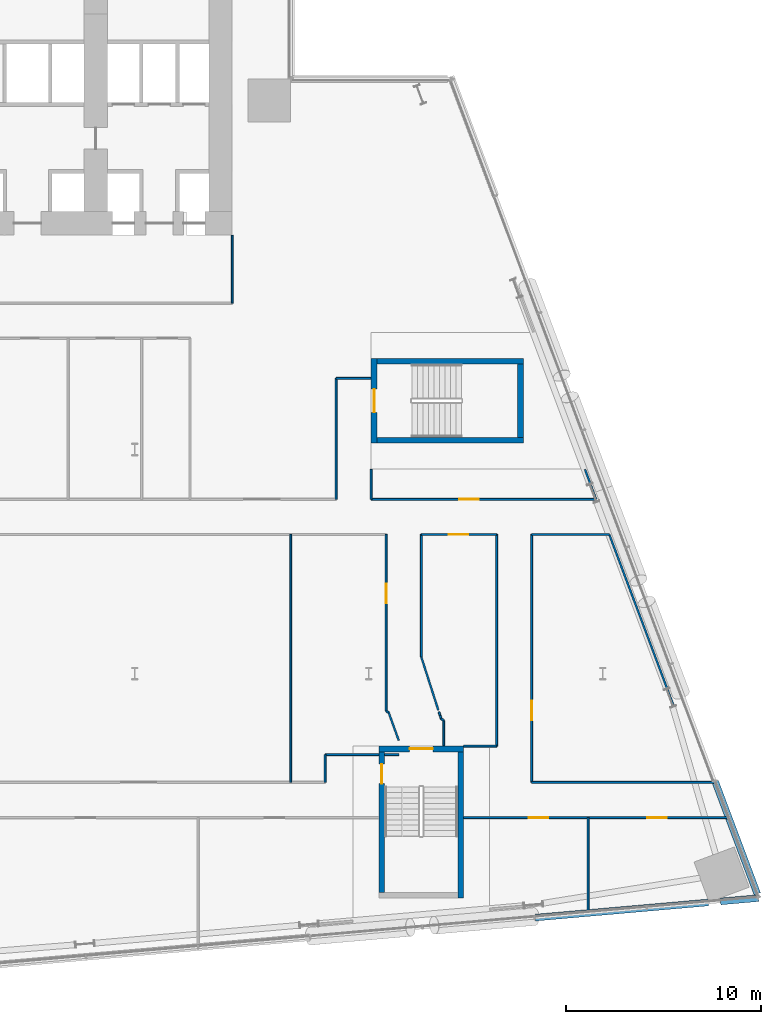
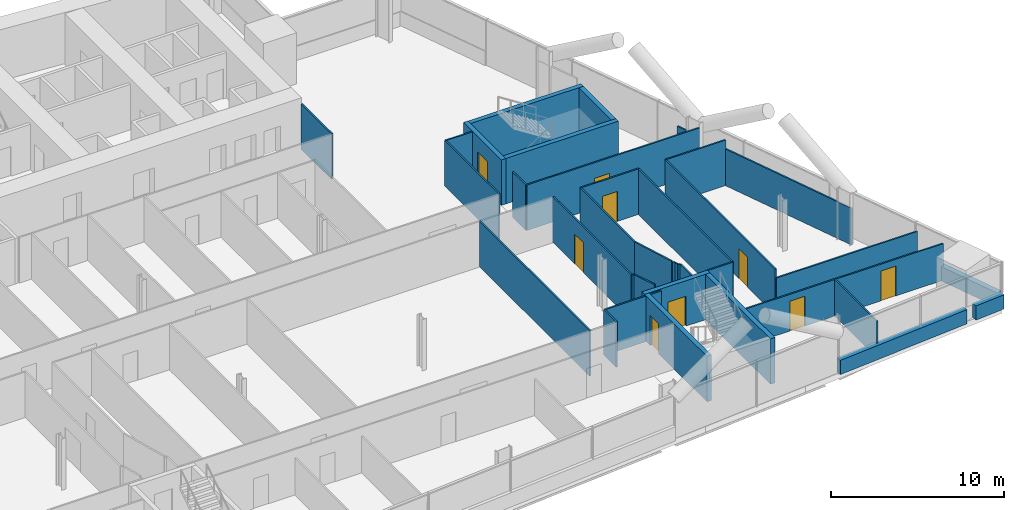
# One storey, part 20 of 28: 38 walls, 9 doors, 9 openings.
"""IFC4 building model written with IfcOpenShell, lengths in metres."""

from ifc_helpers import new_model, si_unit, direction, frame, frame_2d, origin, place, context, subcontext, project, spatial, rectangle, extrude, material, layer, layer_set, type_object, element, fill, save


model = new_model("IFC4")

# Units and contexts
model_context = context("Model", 3, precision=1e-05, world=origin(), true_north=direction((0.0, 1.0)))
body_context = subcontext(model_context, "Body", "Model", "MODEL_VIEW")
ifc_project = project(units=[si_unit("LENGTHUNIT", "METRE"), si_unit("AREAUNIT", "SQUARE_METRE"), si_unit("VOLUMEUNIT", "CUBIC_METRE"), si_unit("PLANEANGLEUNIT", "RADIAN"), si_unit("MASSUNIT", "GRAM", prefix="KILO")], contexts=[model_context])

# Site, building, storey
site_placement = place(None, origin())
site = spatial("IfcSite", under=ifc_project, at=site_placement, CompositionType="ELEMENT")
building_placement = place(site_placement, origin())
building = spatial("IfcBuilding", under=site, at=building_placement, Name="Wharfspan Tower", CompositionType="ELEMENT")
storey_placement = place(building_placement, frame((0.0, 0.0, 52.300049)))
storey = spatial("IfcBuildingStorey", under=building, at=storey_placement, Name="L09", CompositionType="ELEMENT", Elevation=52.300049)

# Walls
ifc_material_1 = material(Name="Gypsum board on steel studs", Category="steel")
ifc_layer_1 = layer(ifc_material_1, 0.100098)
ifc_layer_set_1 = layer_set([ifc_layer_1], Name="Gypsum board on steel studs")
wall_type_1 = type_object("IfcWallType", Name="Compartment wall 100 EI 60", PredefinedType="PARTITIONING", material=ifc_layer_set_1)
wall_1_placement = place(storey_placement, frame((65.0, 30.5, 0.0), z_axis=(0.0, 0.0, 1.0), x_axis=(0.0, 1.0, 0.0)))
element("IfcWall", 1, at=wall_1_placement, inside=storey, type_object=wall_type_1, Name="Partition L09.w058", PredefinedType="PARTITIONING", context=body_context, shape_type="SweptSolid", body=[
    extrude(rectangle(XDim=3.47998, YDim=0.100098, at=frame_2d((1.73999, 0.0))), origin(), (0.0, 0.0, 1.0), 3.199951),
])
wall_2_placement = place(storey_placement, frame((68.0, 5.925049, 0.0), z_axis=(0.0, 0.0, 1.0), x_axis=(0.0, 1.0, 0.0)))
element("IfcWall", 2, at=wall_2_placement, inside=storey, type_object=wall_type_1, Name="Partition L09.w059", PredefinedType="PARTITIONING", context=body_context, shape_type="SweptSolid", body=[
    extrude(rectangle(XDim=12.714844, YDim=0.100098, at=frame_2d((6.357422, 0.0))), origin(), (0.0, 0.0, 1.0), 3.199951),
])
wall_3_placement = place(storey_placement, frame((69.764893, 5.925049, 0.0), z_axis=(0.0, 0.0, 1.0), x_axis=(0.0, 1.0, 0.0)))
element("IfcWall", 3, at=wall_3_placement, inside=storey, type_object=wall_type_1, Name="Partition L09.w061", PredefinedType="PARTITIONING", context=body_context, shape_type="SweptSolid", body=[
    extrude(rectangle(XDim=1.425049, YDim=0.100098, at=frame_2d((0.712402, 0.0))), origin(), (0.0, 0.0, 1.0), 3.199951),
])
wall_4_placement = place(storey_placement, frame((69.764893, 7.350098, 0.0), z_axis=(0.0, 0.0, 1.0), x_axis=(1.0, 0.0, 0.0)))
element("IfcWall", 4, at=wall_4_placement, inside=storey, type_object=wall_type_1, Name="Partition L09.w062", PredefinedType="PARTITIONING", context=body_context, shape_type="SweptSolid", body=[
    extrude(rectangle(XDim=2.752686, YDim=0.100098, at=frame_2d((1.376465, 0.0))), origin(), (0.0, 0.0, 1.0), 3.199951),
])
wall_5_placement = place(storey_placement, frame((70.324951, 20.445068, 0.0), z_axis=(0.0, 0.0, 1.0), x_axis=(0.0, 1.0, 0.0)))
element("IfcWall", 5, at=wall_5_placement, inside=storey, type_object=wall_type_1, Name="Partition L09.w063", PredefinedType="PARTITIONING", context=body_context, shape_type="SweptSolid", body=[
    extrude(rectangle(XDim=6.204834, YDim=0.100098, at=frame_2d((3.102539, 0.0))), origin(), (0.0, 0.0, 1.0), 3.199951),
])
wall_6_placement = place(storey_placement, frame((70.324951, 26.649902, 0.0), z_axis=(0.0, 0.0, 1.0), x_axis=(1.0, 0.0, 0.0)))
element("IfcWall", 6, at=wall_6_placement, inside=storey, type_object=wall_type_1, Name="Partition L09.w064", PredefinedType="PARTITIONING", context=body_context, shape_type="SweptSolid", body=[
    extrude(rectangle(XDim=1.780029, YDim=0.100098, at=frame_2d((0.890137, 0.0))), origin(), (0.0, 0.0, 1.0), 3.199951),
])
wall_7_placement = place(storey_placement, frame((72.125, 20.445068, 0.0), z_axis=(0.0, 0.0, 1.0), x_axis=(0.0, 1.0, 0.0)))
element("IfcWall", 7, at=wall_7_placement, inside=storey, type_object=wall_type_1, Name="Partition L09.w066", PredefinedType="PARTITIONING", context=body_context, shape_type="SweptSolid", body=[
    extrude(rectangle(XDim=1.534912, YDim=0.100098, at=frame_2d((0.767578, 0.0))), origin(), (0.0, 0.0, 1.0), 3.199951),
])

# Wall, opening, door
wall_8_placement = place(storey_placement, frame((72.125, 20.445068, 0.0), z_axis=(0.0, 0.0, 1.0), x_axis=(1.0, 0.0, 0.0)))
wall_8 = element("IfcWall", 8, at=wall_8_placement, inside=storey, type_object=wall_type_1, Name="Partition L09.w067", PredefinedType="PARTITIONING", context=body_context, shape_type="SweptSolid", body=[
    extrude(rectangle(XDim=11.534912, YDim=0.100098, at=frame_2d((5.767578, 0.0))), origin(), (0.0, 0.0, 1.0), 3.199951),
])
opening_1_placement = place(wall_8_placement, frame((4.520508, 0.0, 0.0)))
opening_1 = element("IfcOpeningElement", 9, at=opening_1_placement, cuts=wall_8, Name="Opening A2-31", PredefinedType="OPENING", context=body_context, shape_type="SweptSolid", body=[
    extrude(rectangle(XDim=1.0, YDim=2.100098, at=frame_2d((0.5, 1.050049))), frame((0.0, 0.060059, 0.0), z_axis=(0.0, -1.0, 0.0), x_axis=(1.0, 0.0, 0.0)), (0.0, 0.0, 1.0), 0.120117),
])
ifc_material_2 = material(Name="Fire-rated timber door leaf in steel frame", Category="steel")
door_type_1 = type_object("IfcDoorType", Name="Door 1000 FD30S Left", OperationType="SINGLE_SWING_LEFT", PredefinedType="DOOR", material=ifc_material_2)
door_1_placement = place(opening_1_placement, origin())
door_1 = element("IfcDoor", 10, at=door_1_placement, inside=storey, type_object=door_type_1, Name="Door A2-31", OperationType="SINGLE_SWING_LEFT", OverallHeight=2.100098, OverallWidth=1.0, PredefinedType="DOOR", context=body_context, shape_type="SweptSolid", body=[
    extrude(rectangle(XDim=1.0, YDim=2.100098, at=frame_2d((0.5, 1.050049))), frame((0.0, 0.024902, 0.0), z_axis=(0.0, -1.0, 0.0), x_axis=(1.0, 0.0, 0.0)), (0.0, 0.0, 1.0), 0.050049),
])
fill(opening_1, door_1)

wall_9_placement = place(storey_placement, frame((72.889893, 9.590088, 0.0), z_axis=(0.0, 0.0, 1.0), x_axis=(0.0, 1.0, 0.0)))
wall_9 = element("IfcWall", 11, at=wall_9_placement, inside=storey, type_object=wall_type_1, Name="Partition L09.w068", PredefinedType="PARTITIONING", context=body_context, shape_type="SweptSolid", body=[
    extrude(rectangle(XDim=9.049805, YDim=0.100098, at=frame_2d((4.524902, 0.0))), origin(), (0.0, 0.0, 1.0), 3.199951),
])
opening_2_placement = place(wall_9_placement, frame((5.514893, 0.0, 0.0)))
opening_2 = element("IfcOpeningElement", 12, at=opening_2_placement, cuts=wall_9, Name="Opening A2-20", PredefinedType="OPENING", context=body_context, shape_type="SweptSolid", body=[
    extrude(rectangle(XDim=1.0, YDim=2.100098, at=frame_2d((0.5, 1.050049))), frame((0.0, 0.060059, 0.0), z_axis=(0.0, -1.0, 0.0), x_axis=(1.0, 0.0, 0.0)), (0.0, 0.0, 1.0), 0.120117),
])
door_type_2 = type_object("IfcDoorType", Name="Door 1000 FD30S Right", OperationType="SINGLE_SWING_RIGHT", PredefinedType="DOOR", material=ifc_material_2)
door_2_placement = place(opening_2_placement, origin())
door_2 = element("IfcDoor", 13, at=door_2_placement, inside=storey, type_object=door_type_2, Name="Door A2-20", OperationType="SINGLE_SWING_RIGHT", OverallHeight=2.100098, OverallWidth=1.0, PredefinedType="DOOR", context=body_context, shape_type="SweptSolid", body=[
    extrude(rectangle(XDim=1.0, YDim=2.100098, at=frame_2d((0.5, 1.050049))), frame((0.0, 0.024902, 0.0), z_axis=(0.0, -1.0, 0.0), x_axis=(1.0, 0.0, 0.0)), (0.0, 0.0, 1.0), 0.050049),
])
fill(opening_2, door_2)

# Walls
wall_10_placement = place(storey_placement, frame((73.02002, 9.514893, 0.0), z_axis=(0.0, 0.0, 1.0), x_axis=(-0.865836, 0.500333, 0.0)))
element("IfcWall", 14, at=wall_10_placement, inside=storey, type_object=wall_type_1, Name="Partition L09.w069", PredefinedType="PARTITIONING", context=body_context, shape_type="SweptSolid", body=[
    extrude(rectangle(XDim=0.150391, YDim=0.100098, at=frame_2d((0.075195, 0.0))), origin(), (0.0, 0.0, 1.0), 3.199951),
])
wall_11_placement = place(storey_placement, frame((73.540039, 8.074951, 0.0), z_axis=(0.0, 0.0, 1.0), x_axis=(-0.339669, 0.940548, 0.0)))
element("IfcWall", 15, at=wall_11_placement, inside=storey, type_object=wall_type_1, Name="Partition L09.w071", PredefinedType="PARTITIONING", context=body_context, shape_type="SweptSolid", body=[
    extrude(rectangle(XDim=1.531006, YDim=0.100098, at=frame_2d((0.765625, 0.0))), origin(), (0.0, 0.0, 1.0), 3.199951),
])
wall_12_placement = place(storey_placement, frame((74.695068, 12.360107, 0.0), z_axis=(0.0, 0.0, 1.0), x_axis=(0.0, 1.0, 0.0)))
element("IfcWall", 16, at=wall_12_placement, inside=storey, type_object=wall_type_1, Name="Partition L09.w072", PredefinedType="PARTITIONING", context=body_context, shape_type="SweptSolid", body=[
    extrude(rectangle(XDim=6.279785, YDim=0.100098, at=frame_2d((3.139893, 0.0))), origin(), (0.0, 0.0, 1.0), 3.199951),
])

# Wall, opening, door
wall_13_placement = place(storey_placement, frame((74.695068, 18.639893, 0.0), z_axis=(0.0, 0.0, 1.0), x_axis=(1.0, 0.0, 0.0)))
wall_13 = element("IfcWall", 17, at=wall_13_placement, inside=storey, type_object=wall_type_1, Name="Partition L09.w073", PredefinedType="PARTITIONING", context=body_context, shape_type="SweptSolid", body=[
    extrude(rectangle(XDim=3.859863, YDim=0.100098, at=frame_2d((1.929932, 0.0))), origin(), (0.0, 0.0, 1.0), 3.199951),
])
opening_3_placement = place(wall_13_placement, frame((1.419922, 0.0, 0.0)))
opening_3 = element("IfcOpeningElement", 18, at=opening_3_placement, cuts=wall_13, Name="Opening A2-23", PredefinedType="OPENING", context=body_context, shape_type="SweptSolid", body=[
    extrude(rectangle(XDim=1.0, YDim=2.100098, at=frame_2d((0.5, 1.050049))), frame((0.0, 0.060059, 0.0), z_axis=(0.0, -1.0, 0.0), x_axis=(1.0, 0.0, 0.0)), (0.0, 0.0, 1.0), 0.120117),
])
door_3_placement = place(opening_3_placement, origin())
door_3 = element("IfcDoor", 19, at=door_3_placement, inside=storey, type_object=door_type_1, Name="Door A2-23", OperationType="SINGLE_SWING_LEFT", OverallHeight=2.100098, OverallWidth=1.0, PredefinedType="DOOR", context=body_context, shape_type="SweptSolid", body=[
    extrude(rectangle(XDim=1.0, YDim=2.100098, at=frame_2d((0.5, 1.050049))), frame((0.0, 0.024902, 0.0), z_axis=(0.0, -1.0, 0.0), x_axis=(1.0, 0.0, 0.0)), (0.0, 0.0, 1.0), 0.050049),
])
fill(opening_3, door_3)

# Walls
wall_14_placement = place(storey_placement, frame((75.570068, 9.625, 0.0), z_axis=(0.0, 0.0, 1.0), x_axis=(-0.305088, 0.952327, 0.0)))
element("IfcWall", 20, at=wall_14_placement, inside=storey, type_object=wall_type_1, Name="Partition L09.w074", PredefinedType="PARTITIONING", context=body_context, shape_type="SweptSolid", body=[
    extrude(rectangle(XDim=2.87207, YDim=0.100098, at=frame_2d((1.436035, 0.0))), origin(), (0.0, 0.0, 1.0), 3.199951),
])
wall_15_placement = place(storey_placement, frame((75.655029, 9.370117, 0.0), z_axis=(0.0, 0.0, 1.0), x_axis=(-0.299793, 0.954008, 0.0)))
element("IfcWall", 21, at=wall_15_placement, inside=storey, type_object=wall_type_1, Name="Partition L09.w075", PredefinedType="PARTITIONING", context=body_context, shape_type="SweptSolid", body=[
    extrude(rectangle(XDim=0.18335, YDim=0.100098, at=frame_2d((0.091797, 0.0))), origin(), (0.0, 0.0, 1.0), 3.199951),
])
wall_16_placement = place(storey_placement, frame((75.715088, 9.189941, 0.0), z_axis=(0.0, 0.0, 1.0), x_axis=(-0.316228, 0.948684, 0.0)))
element("IfcWall", 22, at=wall_16_placement, inside=storey, type_object=wall_type_1, Name="Partition L09.w076", PredefinedType="PARTITIONING", context=body_context, shape_type="SweptSolid", body=[
    extrude(rectangle(XDim=0.189941, YDim=0.100098, at=frame_2d((0.094971, 0.0))), origin(), (0.0, 0.0, 1.0), 3.199951),
])
wall_17_placement = place(storey_placement, frame((75.844971, 7.812012, 0.0), z_axis=(0.0, 0.0, 1.0), x_axis=(0.0, 1.0, 0.0)))
element("IfcWall", 23, at=wall_17_placement, inside=storey, type_object=wall_type_1, Name="Partition L09.w077", PredefinedType="PARTITIONING", context=body_context, shape_type="SweptSolid", body=[
    extrude(rectangle(XDim=1.278076, YDim=0.100098, at=frame_2d((0.63916, 0.0))), origin(), (0.0, 0.0, 1.0), 3.199951),
])
wall_18_placement = place(storey_placement, frame((75.844971, 9.094971, 0.0), z_axis=(0.0, 0.0, 1.0), x_axis=(-0.807226, 0.590246, 0.0)))
element("IfcWall", 24, at=wall_18_placement, inside=storey, type_object=wall_type_1, Name="Partition L09.w078", PredefinedType="PARTITIONING", context=body_context, shape_type="SweptSolid", body=[
    extrude(rectangle(XDim=0.160889, YDim=0.100098, at=frame_2d((0.080566, 0.0))), origin(), (0.0, 0.0, 1.0), 3.199951),
])

# Wall, openings, doors
wall_19_placement = place(storey_placement, frame((76.867432, 4.120117, 0.0), z_axis=(0.0, 0.0, 1.0), x_axis=(1.0, 0.0, 0.0)))
wall_19 = element("IfcWall", 25, at=wall_19_placement, inside=storey, type_object=wall_type_1, Name="Partition L09.w079", PredefinedType="PARTITIONING", context=body_context, shape_type="SweptSolid", body=[
    extrude(rectangle(XDim=13.566162, YDim=0.100098, at=frame_2d((6.783203, 0.0))), origin(), (0.0, 0.0, 1.0), 2.579834),
])
opening_4_placement = place(wall_19_placement, frame((3.347412, 0.0, 0.0)))
opening_4 = element("IfcOpeningElement", 26, at=opening_4_placement, cuts=wall_19, Name="Opening A2-11", PredefinedType="OPENING", context=body_context, shape_type="SweptSolid", body=[
    extrude(rectangle(XDim=1.0, YDim=2.100098, at=frame_2d((0.5, 1.050049))), frame((0.0, 0.060059, 0.0), z_axis=(0.0, -1.0, 0.0), x_axis=(1.0, 0.0, 0.0)), (0.0, 0.0, 1.0), 0.120117),
])
opening_5_placement = place(wall_19_placement, frame((9.407471, 0.0, 0.0)))
opening_5 = element("IfcOpeningElement", 27, at=opening_5_placement, cuts=wall_19, Name="Opening A2-12", PredefinedType="OPENING", context=body_context, shape_type="SweptSolid", body=[
    extrude(rectangle(XDim=1.0, YDim=2.100098, at=frame_2d((0.5, 1.050049))), frame((0.0, 0.060059, 0.0), z_axis=(0.0, -1.0, 0.0), x_axis=(1.0, 0.0, 0.0)), (0.0, 0.0, 1.0), 0.120117),
])
door_4_placement = place(opening_4_placement, origin())
door_4 = element("IfcDoor", 28, at=door_4_placement, inside=storey, type_object=door_type_1, Name="Door A2-11", OperationType="SINGLE_SWING_LEFT", OverallHeight=2.100098, OverallWidth=1.0, PredefinedType="DOOR", context=body_context, shape_type="SweptSolid", body=[
    extrude(rectangle(XDim=1.0, YDim=2.100098, at=frame_2d((0.5, 1.050049))), frame((0.0, 0.024902, 0.0), z_axis=(0.0, -1.0, 0.0), x_axis=(1.0, 0.0, 0.0)), (0.0, 0.0, 1.0), 0.050049),
])
fill(opening_4, door_4)
door_5_placement = place(opening_5_placement, origin())
door_5 = element("IfcDoor", 29, at=door_5_placement, inside=storey, type_object=door_type_2, Name="Door A2-12", OperationType="SINGLE_SWING_RIGHT", OverallHeight=2.100098, OverallWidth=1.0, PredefinedType="DOOR", context=body_context, shape_type="SweptSolid", body=[
    extrude(rectangle(XDim=1.0, YDim=2.100098, at=frame_2d((0.5, 1.050049))), frame((0.0, 0.024902, 0.0), z_axis=(0.0, -1.0, 0.0), x_axis=(1.0, 0.0, 0.0)), (0.0, 0.0, 1.0), 0.050049),
])
fill(opening_5, door_5)

# Walls
wall_20_placement = place(storey_placement, frame((76.867432, 7.790039, 0.0), z_axis=(0.0, 0.0, 1.0), x_axis=(1.0, 0.0, 0.0)))
element("IfcWall", 30, at=wall_20_placement, inside=storey, type_object=wall_type_1, Name="Partition L09.w080", PredefinedType="PARTITIONING", context=body_context, shape_type="SweptSolid", body=[
    extrude(rectangle(XDim=1.6875, YDim=0.100098, at=frame_2d((0.84375, 0.0))), origin(), (0.0, 0.0, 1.0), 3.199951),
])
wall_21_placement = place(storey_placement, frame((78.554932, 7.790039, 0.0), z_axis=(0.0, 0.0, 1.0), x_axis=(0.0, 1.0, 0.0)))
element("IfcWall", 31, at=wall_21_placement, inside=storey, type_object=wall_type_1, Name="Partition L09.w082", PredefinedType="PARTITIONING", context=body_context, shape_type="SweptSolid", body=[
    extrude(rectangle(XDim=10.849854, YDim=0.100098, at=frame_2d((5.424805, 0.0))), origin(), (0.0, 0.0, 1.0), 3.199951),
])

# Wall, opening, door
wall_22_placement = place(storey_placement, frame((80.35498, 5.925049, 0.0), z_axis=(0.0, 0.0, 1.0), x_axis=(0.0, 1.0, 0.0)))
wall_22 = element("IfcWall", 32, at=wall_22_placement, inside=storey, type_object=wall_type_1, Name="Partition L09.w083", PredefinedType="PARTITIONING", context=body_context, shape_type="SweptSolid", body=[
    extrude(rectangle(XDim=12.714844, YDim=0.100098, at=frame_2d((6.357422, 0.0))), origin(), (0.0, 0.0, 1.0), 3.199951),
])
opening_6_placement = place(wall_22_placement, frame((3.189697, 0.0, 0.0)))
opening_6 = element("IfcOpeningElement", 33, at=opening_6_placement, cuts=wall_22, Name="Opening A2-17", PredefinedType="OPENING", context=body_context, shape_type="SweptSolid", body=[
    extrude(rectangle(XDim=1.0, YDim=2.100098, at=frame_2d((0.5, 1.050049))), frame((0.0, 0.060059, 0.0), z_axis=(0.0, -1.0, 0.0), x_axis=(1.0, 0.0, 0.0)), (0.0, 0.0, 1.0), 0.120117),
])
door_6_placement = place(opening_6_placement, origin())
door_6 = element("IfcDoor", 34, at=door_6_placement, inside=storey, type_object=door_type_1, Name="Door A2-17", OperationType="SINGLE_SWING_LEFT", OverallHeight=2.100098, OverallWidth=1.0, PredefinedType="DOOR", context=body_context, shape_type="SweptSolid", body=[
    extrude(rectangle(XDim=1.0, YDim=2.100098, at=frame_2d((0.5, 1.050049))), frame((0.0, 0.024902, 0.0), z_axis=(0.0, -1.0, 0.0), x_axis=(1.0, 0.0, 0.0)), (0.0, 0.0, 1.0), 0.050049),
])
fill(opening_6, door_6)

# Walls
wall_23_placement = place(storey_placement, frame((80.35498, 5.925049, 0.0), z_axis=(0.0, 0.0, 1.0), x_axis=(1.0, 0.0, 0.0)))
element("IfcWall", 35, at=wall_23_placement, inside=storey, type_object=wall_type_1, Name="Partition L09.w084", PredefinedType="PARTITIONING", context=body_context, shape_type="SweptSolid", body=[
    extrude(rectangle(XDim=9.401855, YDim=0.100098, at=frame_2d((4.700928, 0.0))), origin(), (0.0, 0.0, 1.0), 2.579834),
])
wall_24_placement = place(storey_placement, frame((80.35498, 18.639893, 0.0), z_axis=(0.0, 0.0, 1.0), x_axis=(1.0, 0.0, 0.0)))
element("IfcWall", 36, at=wall_24_placement, inside=storey, type_object=wall_type_1, Name="Partition L09.w085", PredefinedType="PARTITIONING", context=body_context, shape_type="SweptSolid", body=[
    extrude(rectangle(XDim=3.97998, YDim=0.100098, at=frame_2d((1.98999, 0.0))), origin(), (0.0, 0.0, 1.0), 3.199951),
])
wall_25_placement = place(storey_placement, frame((83.25, -0.745361, 0.0), z_axis=(0.0, 0.0, 1.0), x_axis=(0.0, 1.0, 0.0)))
element("IfcWall", 37, at=wall_25_placement, inside=storey, type_object=wall_type_1, Name="Partition L09.w087", PredefinedType="PARTITIONING", context=body_context, shape_type="SweptSolid", body=[
    extrude(rectangle(XDim=4.865479, YDim=0.100098, at=frame_2d((2.432617, 0.0))), origin(), (0.0, 0.0, 1.0), 2.579834),
])
wall_26_placement = place(storey_placement, frame((83.659912, 20.445068, 0.0), z_axis=(0.0, 0.0, 1.0), x_axis=(-0.349474, 0.936948, 0.0)))
element("IfcWall", 38, at=wall_26_placement, inside=storey, type_object=wall_type_1, Name="Partition L09.w088", PredefinedType="PARTITIONING", context=body_context, shape_type="SweptSolid", body=[
    extrude(rectangle(XDim=1.638184, YDim=0.100098, at=frame_2d((0.819092, 0.0))), origin(), (0.0, 0.0, 1.0), 2.579834),
])
wall_27_placement = place(storey_placement, frame((87.649902, 9.810059, 0.0), z_axis=(0.0, 0.0, 1.0), x_axis=(-0.351473, 0.9362, 0.0)))
element("IfcWall", 39, at=wall_27_placement, inside=storey, type_object=wall_type_1, Name="Partition L09.w089", PredefinedType="PARTITIONING", context=body_context, shape_type="SweptSolid", body=[
    extrude(rectangle(XDim=9.431641, YDim=0.100098, at=frame_2d((4.71582, 0.0))), origin(), (0.0, 0.0, 1.0), 2.579834),
])
wall_28_placement = place(storey_placement, frame((72.817383, 7.353516, 0.0), z_axis=(0.0, 0.0, 1.0), x_axis=(0.999994, 0.002027, 0.0)))
element("IfcWall", 40, at=wall_28_placement, inside=storey, type_object=wall_type_1, Name="Partition L09.w065 (2)", PredefinedType="PARTITIONING", context=body_context, shape_type="SweptSolid", body=[
    extrude(rectangle(XDim=0.722656, YDim=0.100098, at=frame_2d((0.361328, 0.0))), origin(), (0.0, 0.0, 1.0), 3.199951),
])
ifc_material_3 = material(Name="Concrete C40/50", Category="concrete")
ifc_layer_2 = layer(ifc_material_3, 0.350098)
ifc_layer_set_2 = layer_set([ifc_layer_2], Name="Concrete C40/50")
wall_type_2 = type_object("IfcWallType", Name="SPANDREL EXPOSED CONCRETE 350", PredefinedType="SOLIDWALL", material=ifc_layer_set_2)
wall_29_placement = place(storey_placement, frame((80.530273, -1.008545, 0.0), z_axis=(0.0, 0.0, 1.0), x_axis=(0.996198, 0.087169, 0.0)))
element("IfcWall", 41, at=wall_29_placement, inside=storey, type_object=wall_type_2, Name="Spandrel upstand L09 S2 2", PredefinedType="SOLIDWALL", context=body_context, shape_type="SweptSolid", body=[
    extrude(rectangle(XDim=8.912109, YDim=0.350098, at=frame_2d((4.456055, 0.0))), origin(), (0.0, 0.0, 1.0), 1.0),
])
wall_30_placement = place(storey_placement, frame((90.039062, -0.176514, 0.0), z_axis=(0.0, 0.0, 1.0), x_axis=(0.996193, 0.08717, 0.0)))
element("IfcWall", 42, at=wall_30_placement, inside=storey, type_object=wall_type_2, Name="Spandrel upstand L09 S2 3", PredefinedType="SOLIDWALL", context=body_context, shape_type="SweptSolid", body=[
    extrude(rectangle(XDim=1.968994, YDim=0.350098, at=frame_2d((0.984375, 0.0))), origin(), (0.0, 0.0, 1.0), 1.0),
])
wall_31_placement = place(storey_placement, frame((91.926025, 0.211182, 0.0), z_axis=(0.0, 0.0, 1.0), x_axis=(-0.351118, 0.936328, 0.0)))
element("IfcWall", 43, at=wall_31_placement, inside=storey, type_object=wall_type_2, Name="Spandrel upstand L09 E 1", PredefinedType="SOLIDWALL", context=body_context, shape_type="SweptSolid", body=[
    extrude(rectangle(XDim=6.154297, YDim=0.350098, at=frame_2d((3.077148, 0.0))), origin(), (0.0, 0.0, 1.0), 1.0),
])

# Wall, opening, door
ifc_layer_3 = layer(ifc_material_3, 0.300049)
ifc_layer_set_3 = layer_set([ifc_layer_3], Name="Concrete C40/50")
wall_type_3 = type_object("IfcWallType", Name="Stair core wall 300", PredefinedType="SHEAR", material=ifc_layer_set_3)
wall_32_placement = place(storey_placement, frame((72.517578, 7.64209, 0.0), z_axis=(0.0, 0.0, 1.0), x_axis=(1.0, 0.0, 0.0)))
wall_32 = element("IfcWall", 44, at=wall_32_placement, inside=storey, type_object=wall_type_3, Name="ST5 stair enclosure wall L09", PredefinedType="SHEAR", context=body_context, shape_type="SweptSolid", body=[
    extrude(rectangle(XDim=4.349854, YDim=0.300049, at=frame_2d((2.174805, 0.0))), origin(), (0.0, 0.0, 1.0), 3.199951),
])
opening_7_placement = place(wall_32_placement, frame((1.574951, 0.0, 0.0)))
opening_7 = element("IfcOpeningElement", 45, at=opening_7_placement, cuts=wall_32, Name="Opening SD5.L09", PredefinedType="OPENING", context=body_context, shape_type="SweptSolid", body=[
    extrude(rectangle(XDim=1.199951, YDim=2.100098, at=frame_2d((0.600098, 1.050049))), frame((0.0, 0.159912, 0.0), z_axis=(0.0, -1.0, 0.0), x_axis=(1.0, 0.0, 0.0)), (0.0, 0.0, 1.0), 0.320068),
])
ifc_material_4 = material(Name="Steel door leaf", Category="steel")
door_type_3 = type_object("IfcDoorType", Name="Stair door 1200x2100", OperationType="SINGLE_SWING_LEFT", PredefinedType="DOOR", material=ifc_material_4)
door_7_placement = place(opening_7_placement, origin())
door_7 = element("IfcDoor", 46, at=door_7_placement, inside=storey, type_object=door_type_3, Name="sd:L09:ST5z1", OperationType="SINGLE_SWING_RIGHT", OverallHeight=2.100098, OverallWidth=1.199951, PredefinedType="DOOR", context=body_context, shape_type="SweptSolid", body=[
    extrude(rectangle(XDim=1.199951, YDim=2.100098, at=frame_2d((0.600098, 1.050049))), frame((0.0, 0.024902, 0.0), z_axis=(0.0, -1.0, 0.0), x_axis=(1.0, 0.0, 0.0)), (0.0, 0.0, 1.0), 0.050049),
])
fill(opening_7, door_7)

wall_33_placement = place(storey_placement, frame((72.66748, 0.291992, 0.0), z_axis=(0.0, 0.0, 1.0), x_axis=(0.0, 1.0, 0.0)))
wall_33 = element("IfcWall", 47, at=wall_33_placement, inside=storey, type_object=wall_type_3, Name="ST5 stair enclosure wall L09", PredefinedType="SHEAR", context=body_context, shape_type="SweptSolid", body=[
    extrude(rectangle(XDim=7.199951, YDim=0.300049, at=frame_2d((3.600098, 0.0))), origin(), (0.0, 0.0, 1.0), 3.199951),
])
opening_8_placement = place(wall_33_placement, frame((5.566406, 0.0, 0.0)))
opening_8 = element("IfcOpeningElement", 48, at=opening_8_placement, cuts=wall_33, Name="Opening SS5W.L09", PredefinedType="OPENING", context=body_context, shape_type="SweptSolid", body=[
    extrude(rectangle(XDim=1.0, YDim=2.100098, at=frame_2d((0.5, 1.050049))), frame((0.0, 0.159912, 0.0), z_axis=(0.0, -1.0, 0.0), x_axis=(1.0, 0.0, 0.0)), (0.0, 0.0, 1.0), 0.320068),
])
door_type_4 = type_object("IfcDoorType", Name="Stair side door 1000x2100", OperationType="SINGLE_SWING_LEFT", PredefinedType="DOOR", material=ifc_material_4)
door_8_placement = place(opening_8_placement, origin())
door_8 = element("IfcDoor", 49, at=door_8_placement, inside=storey, type_object=door_type_4, Name="Stair side door", OperationType="SINGLE_SWING_LEFT", OverallHeight=2.100098, OverallWidth=1.0, PredefinedType="DOOR", context=body_context, shape_type="SweptSolid", body=[
    extrude(rectangle(XDim=1.0, YDim=2.100098, at=frame_2d((0.5, 1.050049))), frame((0.0, 0.024902, 0.0), z_axis=(0.0, -1.0, 0.0), x_axis=(1.0, 0.0, 0.0)), (0.0, 0.0, 1.0), 0.050049),
])
fill(opening_8, door_8)

wall_34_placement = place(storey_placement, frame((72.274902, 23.324951, 0.0), z_axis=(0.0, 0.0, 1.0), x_axis=(0.0, 1.0, 0.0)))
wall_34 = element("IfcWall", 50, at=wall_34_placement, inside=storey, type_object=wall_type_3, Name="ST6 stair enclosure wall L09", PredefinedType="SHEAR", context=body_context, shape_type="SweptSolid", body=[
    extrude(rectangle(XDim=4.350098, YDim=0.300049, at=frame_2d((2.175049, 0.0))), origin(), (0.0, 0.0, 1.0), 3.199951),
])
opening_9_placement = place(wall_34_placement, frame((1.574951, 0.0, 0.0)))
opening_9 = element("IfcOpeningElement", 51, at=opening_9_placement, cuts=wall_34, Name="Opening SD6.L09", PredefinedType="OPENING", context=body_context, shape_type="SweptSolid", body=[
    extrude(rectangle(XDim=1.199951, YDim=2.100098, at=frame_2d((0.600098, 1.050049))), frame((0.0, 0.159912, 0.0), z_axis=(0.0, -1.0, 0.0), x_axis=(1.0, 0.0, 0.0)), (0.0, 0.0, 1.0), 0.320068),
])
door_9_placement = place(opening_9_placement, origin())
door_9 = element("IfcDoor", 52, at=door_9_placement, inside=storey, type_object=door_type_3, Name="sd:L09:ST6z1", OperationType="SINGLE_SWING_RIGHT", OverallHeight=2.100098, OverallWidth=1.199951, PredefinedType="DOOR", context=body_context, shape_type="SweptSolid", body=[
    extrude(rectangle(XDim=1.199951, YDim=2.100098, at=frame_2d((0.600098, 1.050049))), frame((0.0, 0.024902, 0.0), z_axis=(0.0, -1.0, 0.0), x_axis=(1.0, 0.0, 0.0)), (0.0, 0.0, 1.0), 0.050049),
])
fill(opening_9, door_9)

# Walls
for number, where, z_axis, x_axis, name in (
    (53, (76.717529, -0.008057, 0.0), (0.0, 0.0, 1.0), (0.0, 1.0, 0.0), "ST5 stair enclosure wall L09"),
    (54, (72.425049, 23.475098, 0.0), (0.0, 0.0, 1.0), (1.0, 0.0, 0.0), "ST6 stair enclosure wall L09"),
    (55, (72.425049, 27.524902, 0.0), (0.0, 0.0, 1.0), (1.0, 0.0, 0.0), "ST6 stair enclosure wall L09"),
):
    element("IfcWall", number, at=place(storey_placement, frame(where, z_axis=z_axis, x_axis=x_axis)), inside=storey, type_object=wall_type_3, Name=name, PredefinedType="SHEAR", context=body_context, shape_type="SweptSolid", body=[
        extrude(rectangle(XDim=7.5, YDim=0.300049, at=frame_2d((3.75, 0.0))), origin(), (0.0, 0.0, 1.0), 3.199951),
    ])
wall_35_placement = place(storey_placement, frame((79.774902, 23.625, 0.0), z_axis=(0.0, 0.0, 1.0), x_axis=(0.0, 1.0, 0.0)))
element("IfcWall", 56, at=wall_35_placement, inside=storey, type_object=wall_type_3, Name="ST6 stair enclosure wall L09", PredefinedType="SHEAR", context=body_context, shape_type="SweptSolid", body=[
    extrude(rectangle(XDim=3.75, YDim=0.300049, at=frame_2d((1.875, 0.0))), origin(), (0.0, 0.0, 1.0), 3.199951),
])

save(model, "model.ifc")
